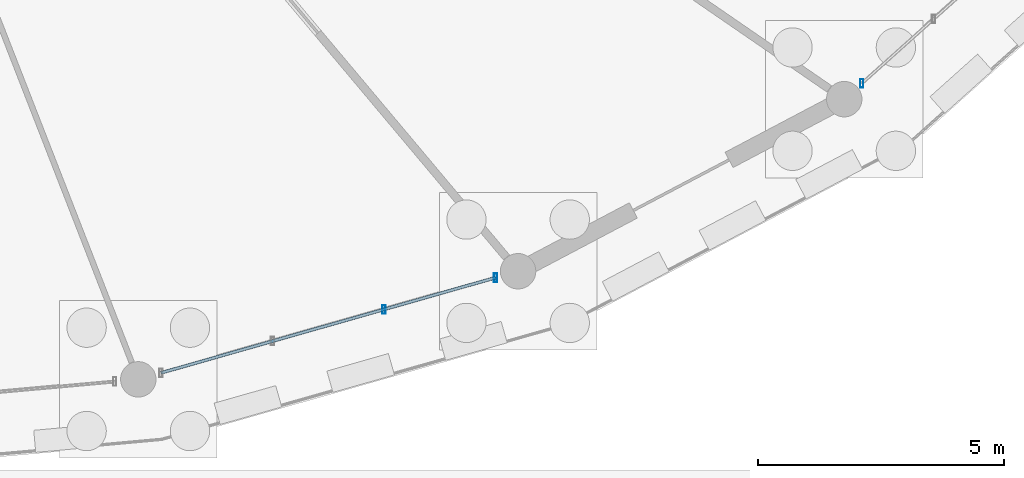
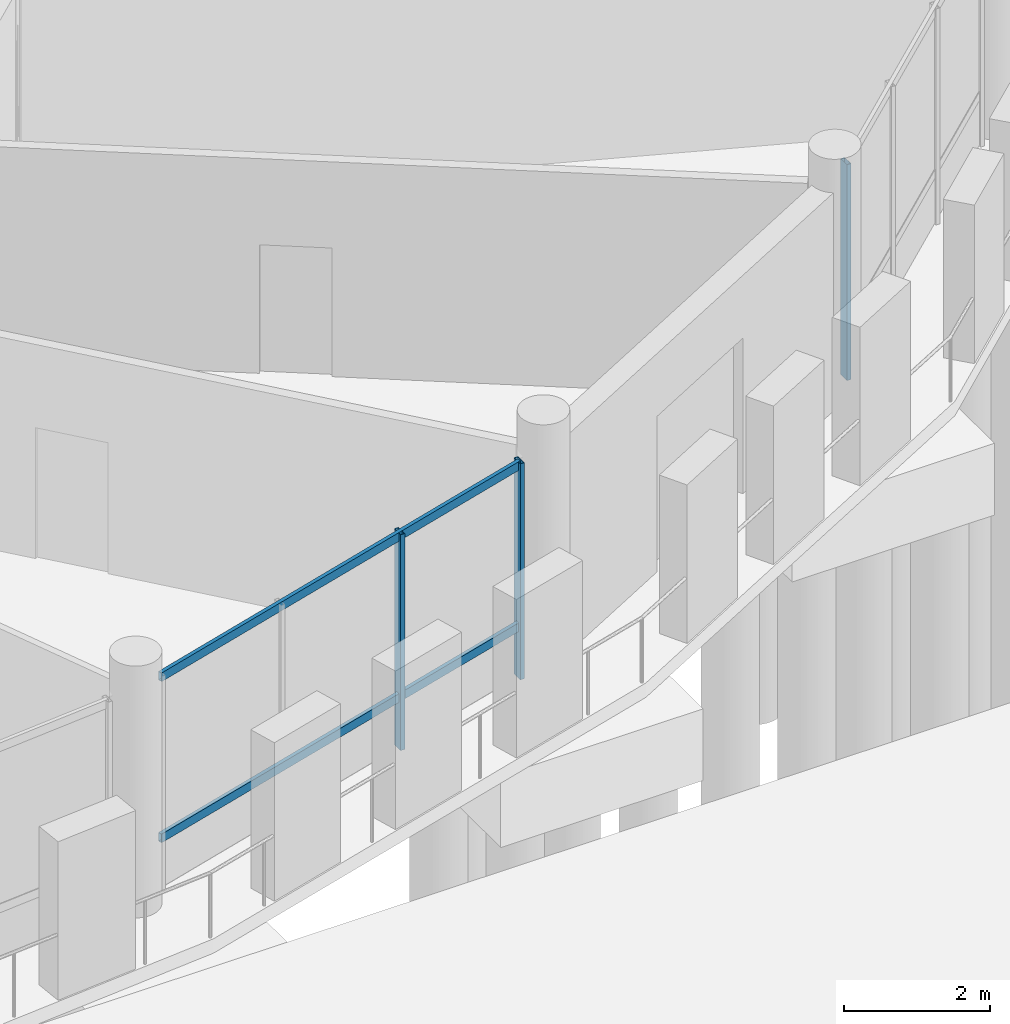
# One storey, part 36 of 98: 5 members, 2 elements without a shape of their own.
"""IFC4 building model written with IfcOpenShell, lengths in metres."""

from ifc_helpers import new_model, si_unit, direction, frame, origin, origin_2d, place, context, subcontext, project, spatial, hollow_rectangle, extrude, material, material_profile, profile_set, type_object, element, aggregate, save


model = new_model("IFC4")

# Units and contexts
model_context = context("Model", 3, precision=1e-05, world=origin(), true_north=direction((0.0, 1.0)))
body_context = subcontext(model_context, "Body", "Model", "MODEL_VIEW")
ifc_project = project(units=[si_unit("LENGTHUNIT", "METRE"), si_unit("AREAUNIT", "SQUARE_METRE"), si_unit("VOLUMEUNIT", "CUBIC_METRE"), si_unit("PLANEANGLEUNIT", "RADIAN"), si_unit("MASSUNIT", "GRAM", prefix="KILO")], contexts=[model_context])

# Site, building, storey
site_placement = place(None, origin())
site = spatial("IfcSite", under=ifc_project, at=site_placement, CompositionType="ELEMENT")
building_placement = place(site_placement, origin())
building = spatial("IfcBuilding", under=site, at=building_placement, Name="Zornivar Specialist Clinic", CompositionType="ELEMENT")
storey_placement = place(building_placement, origin())
storey = spatial("IfcBuildingStorey", under=building, at=storey_placement, Name="L00", CompositionType="ELEMENT", Elevation=0.0)

# Curtain wall, members
ifc_material_1 = material(Name="Aluminium and Low-E Glass Curtain Wall", Category="aluminium")
curtain_wall_type = type_object("IfcCurtainWallType", Name="CW-DRUM-FACET", PredefinedType="NOTDEFINED", material=ifc_material_1)
curtain_wall_1_placement = place(storey_placement, origin())
curtain_wall_1 = element("IfcCurtainWall", 1, at=curtain_wall_1_placement, inside=storey, type_object=curtain_wall_type, Name="cw:V1:L00:c19", PredefinedType="NOTDEFINED")
ifc_material_2 = material(Name="Aluminium AW-6060", Category="aluminium")
ifc_material_profile_1 = material_profile(ifc_material_2, hollow_rectangle(XDim=0.06494140625, YDim=0.175048828125, WallThickness=0.00439453125, at=origin_2d()), Name="ALU 65x175x4.5")
ifc_profile_set_1 = profile_set([ifc_material_profile_1], Name="Aluminium AW-6060")
member_type_1 = type_object("IfcMemberType", Name="CWM-MUL-175", PredefinedType="MULLION", material=ifc_profile_set_1)
member_1_placement = place(storey_placement, frame((106.8740234375, 37.77001953125, 0.0), z_axis=(0.0, 0.0, 1.0), x_axis=(1.0, 0.0, 0.0)))
member_1 = element("IfcMember", 2, at=member_1_placement, type_object=member_type_1, Name="cw:V1:L00:c19:mul:2", PredefinedType="MULLION", context=body_context, shape_type="SweptSolid", body=[
    extrude(hollow_rectangle(XDim=0.06494140625, YDim=0.175048828125, WallThickness=0.00439453125, at=origin_2d()), origin(), (0.0, 0.0, 1.0), 3.610107421875),
])
member_2_placement = place(storey_placement, frame((109.138916015625, 38.4150390625, 0.0), z_axis=(0.0, 0.0, 1.0), x_axis=(1.0, 0.0, 0.0)))
member_2 = element("IfcMember", 3, at=member_2_placement, type_object=member_type_1, Name="cw:V1:L00:c19:mul:3", PredefinedType="MULLION", context=body_context, shape_type="SweptSolid", body=[
    extrude(hollow_rectangle(XDim=0.06494140625, YDim=0.175048828125, WallThickness=0.00439453125, at=origin_2d()), origin(), (0.0, 0.0, 1.0), 3.610107421875),
])

# Curtain wall, member
curtain_wall_2_placement = place(storey_placement, origin())
curtain_wall_2 = element("IfcCurtainWall", 4, at=curtain_wall_2_placement, inside=storey, type_object=curtain_wall_type, Name="cw:V1:L00:c21", PredefinedType="NOTDEFINED")
member_3_placement = place(storey_placement, frame((116.5849609375, 42.364990234375, 0.0), z_axis=(0.0, 0.0, 1.0), x_axis=(1.0, 0.0, 0.0)))
member_3 = element("IfcMember", 5, at=member_3_placement, type_object=member_type_1, Name="cw:V1:L00:c21:mul:0", PredefinedType="MULLION", context=body_context, shape_type="SweptSolid", body=[
    extrude(hollow_rectangle(XDim=0.06494140625, YDim=0.175048828125, WallThickness=0.00439453125, at=origin_2d()), origin(), (0.0, 0.0, 1.0), 3.610107421875),
])
aggregate(curtain_wall_2, [member_3])

# Member
ifc_material_3 = material(Name="Aluminium AW-6060", Category="aluminium")
ifc_material_profile_2 = material_profile(ifc_material_3, hollow_rectangle(XDim=0.06005859375, YDim=0.14501953125, WallThickness=0.00390625, at=origin_2d()), Name="ALU 60x145x4")
ifc_profile_set_2 = profile_set([ifc_material_profile_2], Name="Aluminium AW-6060")
member_type_2 = type_object("IfcMemberType", Name="CWM-TRN-145", PredefinedType="USERDEFINED", material=ifc_profile_set_2)
member_4_placement = place(storey_placement, frame((102.343017578125, 36.48095703125, 0.85009765625), z_axis=(0.961771283353, 0.27385397298, 0.0), x_axis=(-0.27385397298, 0.961771283353, 0.0)))
member_4 = element("IfcMember", 6, at=member_4_placement, type_object=member_type_2, Name="cw:V1:L00:c19:trn:0", ObjectType="TRANSOM", PredefinedType="USERDEFINED", context=body_context, shape_type="SweptSolid", body=[
    extrude(hollow_rectangle(XDim=0.06005859375, YDim=0.14501953125, WallThickness=0.00390625, at=origin_2d()), origin(), (0.0, 0.0, 1.0), 7.06591796875),
])

member_5_placement = place(storey_placement, frame((102.343017578125, 36.48095703125, 3.544921875), z_axis=(0.961771283353, 0.27385397298, 0.0), x_axis=(-0.27385397298, 0.961771283353, 0.0)))
member_5 = element("IfcMember", 7, at=member_5_placement, type_object=member_type_2, Name="cw:V1:L00:c19:trn:1", ObjectType="TRANSOM", PredefinedType="USERDEFINED", context=body_context, shape_type="SweptSolid", body=[
    extrude(hollow_rectangle(XDim=0.06005859375, YDim=0.14501953125, WallThickness=0.00390625, at=origin_2d()), origin(), (0.0, 0.0, 1.0), 7.06591796875),
])

aggregate(curtain_wall_1, [member_1, member_2, member_4, member_5])

save(model, "model.ifc")
